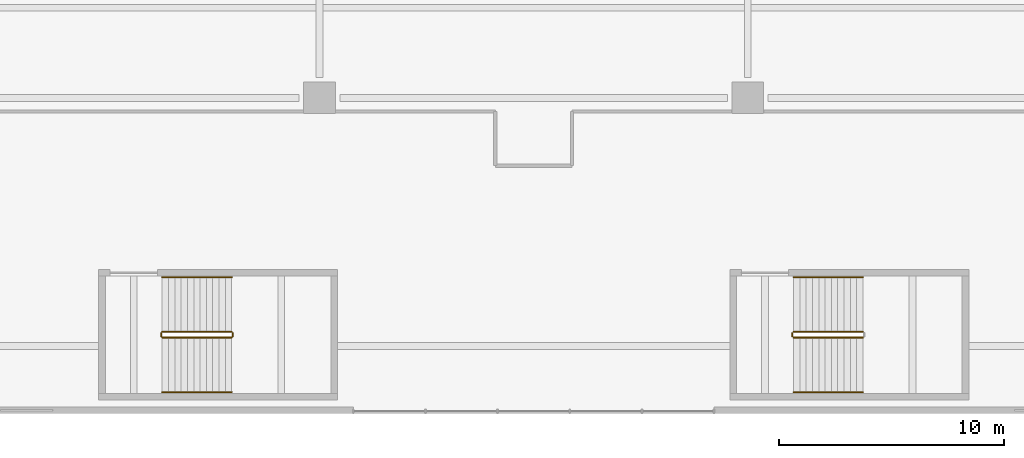
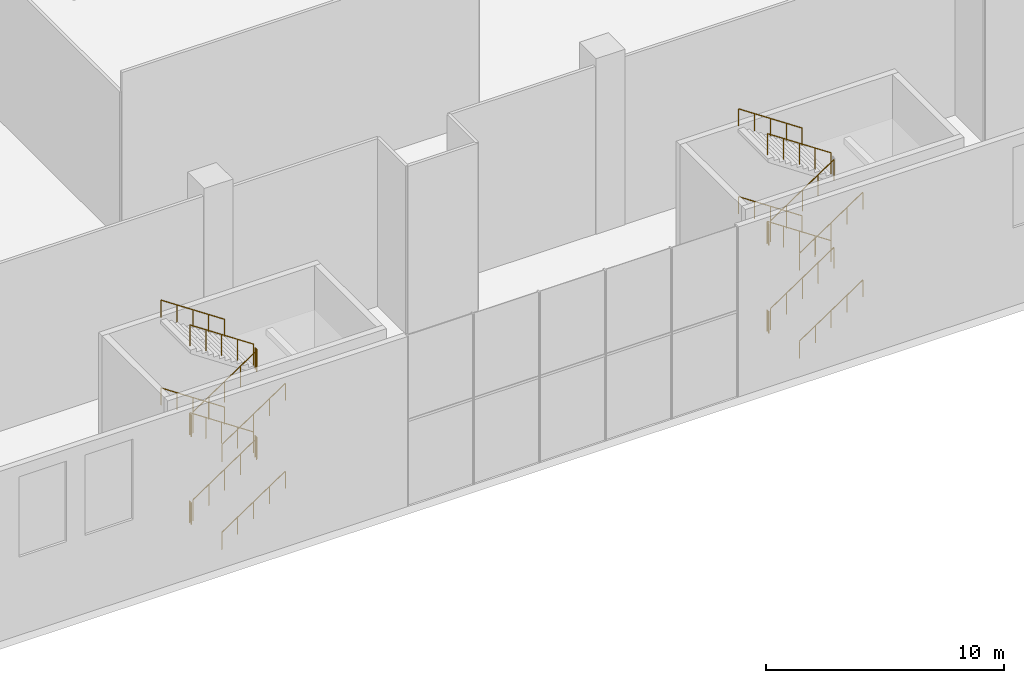
# One storey, part 20 of 27: 22 railings.
"""IFC4 building model written with IfcOpenShell, lengths in metres."""

import ifcopenshell
import ifcopenshell.guid

model = None  # the IFC model being written
_history = None  # IfcOwnerHistory: only IFC2X3 demands one
_inside = {}  # id of a spatial element -> (the spatial element, [elements in it])
_under = {}  # id of a project, library or spatial element -> (it, [spatial elements below it])
_declared = {}  # id of a project -> (the project, [libraries it declares])
_typed = {}  # id of a type object -> (the type object, [elements of that type])
_made_of = {}  # id of a material, layer set ... -> (it, [elements and type objects made of it])


def new_model(schema):
    """Start an empty IFC model of exactly this schema.

    Asked for "IFC4X3", IfcOpenShell would pick the latest addendum, in which some entities
    have other attributes; the version numbers below select the first issue.
    IFC2X3 requires an IfcOwnerHistory on every rooted entity: one is made here for all.
    """
    global model, _history
    if schema == "IFC4X3":
        model = ifcopenshell.file(schema_version=(4, 3, 0, 0))
    else:
        model = ifcopenshell.file(schema=schema)
    _inside.clear()
    _under.clear()
    _declared.clear()
    _typed.clear()
    _made_of.clear()
    _history = None
    if model.schema == "IFC2X3":
        org = make("IfcOrganization", Name="unknown")
        user = make(
            "IfcPersonAndOrganization",
            ThePerson=make("IfcPerson", FamilyName="unknown"),
            TheOrganization=org,
        )
        app = make(
            "IfcApplication",
            ApplicationDeveloper=org,
            Version="unknown",
            ApplicationFullName="unknown",
            ApplicationIdentifier="unknown",
        )
        _history = make(
            "IfcOwnerHistory",
            OwningUser=user,
            OwningApplication=app,
            ChangeAction="ADDED",
            CreationDate=0,
        )
    return model


def make(cls, **values):
    """One entity of the class cls with the attributes given. An attribute that is None is left unset."""
    return model.create_entity(
        cls, **{name: value for name, value in values.items() if value is not None}
    )


def rooted(cls, **values):
    """An entity with a GlobalId (a new one), such as an element, a storey or a relation."""
    return make(cls, GlobalId=ifcopenshell.guid.new(), OwnerHistory=_history, **values)


def si_unit(unit_type, name, prefix=None):
    """IfcSIUnit, for example si_unit("LENGTHUNIT", "METRE", prefix="MILLI")."""
    return make("IfcSIUnit", UnitType=unit_type, Prefix=prefix, Name=name)


def assignment(units):
    """IfcUnitAssignment: the units of a project."""
    return None if units is None else make("IfcUnitAssignment", Units=units)


def point(xyz):
    """IfcCartesianPoint."""
    return None if xyz is None else make("IfcCartesianPoint", Coordinates=xyz)


def direction(xyz):
    """IfcDirection."""
    return None if xyz is None else make("IfcDirection", DirectionRatios=xyz)


def frame(location, z_axis=None, x_axis=None):
    """IfcAxis2Placement3D, a coordinate frame: its origin and axes. An axis left out is left unset."""
    return make(
        "IfcAxis2Placement3D",
        Location=point(location),
        Axis=direction(z_axis),
        RefDirection=direction(x_axis),
    )


def frame_2d(location, x_axis=None):
    """IfcAxis2Placement2D, a coordinate frame in the plane: its origin and x axis."""
    return make(
        "IfcAxis2Placement2D", Location=point(location), RefDirection=direction(x_axis)
    )


def origin():
    """The frame at (0, 0, 0) with its axes left unset."""
    return frame((0.0, 0.0, 0.0))


def origin_2d():
    """The frame at (0, 0) in the plane with its x axis left unset."""
    return frame_2d((0.0, 0.0))


def place(relative_to, where):
    """IfcLocalPlacement: puts the frame where relative to a parent placement (None: the world)."""
    return make(
        "IfcLocalPlacement", PlacementRelTo=relative_to, RelativePlacement=where
    )


def context(
    kind, dimensions, precision=None, world=None, true_north=None, identifier=None
):
    """IfcGeometricRepresentationContext, for example the 3D "Model" context."""
    return make(
        "IfcGeometricRepresentationContext",
        ContextIdentifier=identifier,
        ContextType=kind,
        CoordinateSpaceDimension=dimensions,
        Precision=precision,
        WorldCoordinateSystem=world,
        TrueNorth=true_north,
    )


def subcontext(parent, identifier, kind, view, scale=None):
    """IfcGeometricRepresentationSubContext, for example "Body" below "Model"."""
    return make(
        "IfcGeometricRepresentationSubContext",
        ContextIdentifier=identifier,
        ContextType=kind,
        ParentContext=parent,
        TargetScale=scale,
        TargetView=view,
    )


def project(units=None, contexts=None):
    """IfcProject with its units and contexts."""
    return rooted(
        "IfcProject",
        Name="project",
        RepresentationContexts=contexts,
        UnitsInContext=assignment(units),
    )


def spatial(cls, under=None, at=None, **own):
    """A site, building, storey or space (cls), placed at a placement, below another one or the project."""
    s = rooted(cls, ObjectPlacement=at, **own)
    if under is not None:
        _under.setdefault(under.id(), (under, []))[1].append(s)
    return s


def profile(cls, at=None, kind="AREA", **sizes):
    """A parametric profile (cls). Its sizes go by their IFC names, for example OverallWidth=200.0."""
    return make(cls, ProfileType=kind, Position=at, **sizes)


def circle(**sizes):
    """IfcCircleProfileDef."""
    return profile("IfcCircleProfileDef", **sizes)


def extrude(swept, where, along, depth):
    """IfcExtrudedAreaSolid: the profile swept, set in the frame where, extruded along a direction by depth."""
    return make(
        "IfcExtrudedAreaSolid",
        SweptArea=swept,
        Position=where,
        ExtrudedDirection=direction(along),
        Depth=depth,
    )


def shape(context_of_items, identifier, shape_type, items):
    """IfcShapeRepresentation: the items that make up one representation, for example the "Body"."""
    return make(
        "IfcShapeRepresentation",
        ContextOfItems=context_of_items,
        RepresentationIdentifier=identifier,
        RepresentationType=shape_type,
        Items=items,
    )


def material(Name=None, Category=None):
    """IfcMaterial."""
    return make("IfcMaterial", Name=Name, Category=Category)


def made_of(thing, what):
    """Note that an element or type object is made of a material, layer set ...; save() writes the relation."""
    if what is not None:
        _made_of.setdefault(what.id(), (what, []))[1].append(thing)
    return thing


def type_object(cls, material=None, **own):
    """A type object (cls), such as IfcWallType, which elements share."""
    return made_of(rooted(cls, **own), material)


def element(
    cls,
    number,
    at=None,
    inside=None,
    cuts=None,
    type_object=None,
    material=None,
    context=None,
    identifier="Body",
    shape_type=None,
    held_by="IfcProductDefinitionShape",
    body=None,
    shapes=None,
    **own,
):
    """One element of the class cls, such as IfcWall. Its Tag is "e" and its number.

    at: its placement. inside: the storey or other place that contains it. cuts: it is an
    opening in that element (IfcRelVoidsElement). A single representation is given by context,
    identifier, shape_type and body (its items); several are given by shapes. held_by: the class
    of the entity that holds the representations. save() writes the other relations.
    """
    e = rooted(cls, Tag="e%d" % number, ObjectPlacement=at, **own)
    if body is not None:
        shapes = [shape(context, identifier, shape_type, body)]
    if shapes is not None:
        e.Representation = make(held_by, Representations=shapes)
    if inside is not None:
        _inside.setdefault(inside.id(), (inside, []))[1].append(e)
    if cuts is not None:
        rooted(
            "IfcRelVoidsElement", RelatingBuildingElement=cuts, RelatedOpeningElement=e
        )
    if type_object is not None:
        _typed.setdefault(type_object.id(), (type_object, []))[1].append(e)
    return made_of(e, material)


def aggregate(whole, parts):
    """IfcRelAggregates: a whole, such as a stair, and the parts it consists of."""
    return rooted("IfcRelAggregates", RelatingObject=whole, RelatedObjects=parts)


def save(model, path):
    """Write the relations noted so far, then the file.

    IfcRelAggregates (storeys below a building ...), IfcRelContainedInSpatialStructure (elements
    in a storey), IfcRelDefinesByType, IfcRelAssociatesMaterial and IfcRelDeclares: one each for
    every whole, place, type object, material and project.
    """
    for whole, parts in _under.values():
        aggregate(whole, parts)
    for where, things in _inside.values():
        rooted(
            "IfcRelContainedInSpatialStructure",
            RelatedElements=things,
            RelatingStructure=where,
        )
    for kind, things in _typed.values():
        rooted("IfcRelDefinesByType", RelatedObjects=things, RelatingType=kind)
    for what, things in _made_of.values():
        rooted("IfcRelAssociatesMaterial", RelatedObjects=things, RelatingMaterial=what)
    for by, libraries in _declared.values():
        rooted("IfcRelDeclares", RelatingContext=by, RelatedDefinitions=libraries)
    model.write(path)


model = new_model("IFC4")

# Units and contexts
model_context = context("Model", 3, precision=1e-05, world=origin(), true_north=direction((0.0, 1.0)))
body_context = subcontext(model_context, "Body", "Model", "MODEL_VIEW")
ifc_project = project(units=[si_unit("LENGTHUNIT", "METRE"), si_unit("AREAUNIT", "SQUARE_METRE"), si_unit("VOLUMEUNIT", "CUBIC_METRE"), si_unit("PLANEANGLEUNIT", "RADIAN"), si_unit("MASSUNIT", "GRAM", prefix="KILO")], contexts=[model_context])

# Site, building, storey
site_placement = place(None, origin())
site = spatial("IfcSite", under=ifc_project, at=site_placement, CompositionType="ELEMENT")
building_placement = place(site_placement, origin())
building = spatial("IfcBuilding", under=site, at=building_placement, Name="Tel Ilan Convention Tower", CompositionType="ELEMENT")
storey_placement = place(building_placement, frame((0.0, 0.0, 9.0)))
storey = spatial("IfcBuildingStorey", under=building, at=storey_placement, Name="L01", CompositionType="ELEMENT", Elevation=9.0)

# Railings
ifc_material_1 = material(Name="Stainless Steel Grade 316", Category="steel")
railing_type_1 = type_object("IfcRailingType", Name="Stainless Steel Stair Guard 1100 mm", PredefinedType="GUARDRAIL", material=ifc_material_1)
railing_1_placement = place(storey_placement, frame((-16.47509765625, -78.625, 0.1875)))
element("IfcRailing", 1, at=railing_1_placement, inside=storey, type_object=railing_type_1, Name="L01 P2 stair guard 1", PredefinedType="GUARDRAIL", context=body_context, shape_type="SweptSolid", body=[
    extrude(circle(Radius=0.02392578125, at=origin_2d()), frame((0.0, 0.0, 1.076171875), z_axis=(0.830913701846, 0.0, 0.55640131208), x_axis=(0.0, 1.0, 0.0)), (0.0, 0.0, 1.0), 3.706787109375),
    extrude(circle(Radius=0.02099609375, at=origin_2d()), origin(), (0.0, 0.0, 1.0), 1.052001953125),
    extrude(circle(Radius=0.02099609375, at=origin_2d()), frame((0.77001953125, 0.0, 0.515625)), (0.0, 0.0, 1.0), 1.052001953125),
    extrude(circle(Radius=0.02099609375, at=origin_2d()), frame((1.5400390625, 0.0, 1.03125)), (0.0, 0.0, 1.0), 1.052001953125),
    extrude(circle(Radius=0.02099609375, at=origin_2d()), frame((2.31005859375, 0.0, 1.546875)), (0.0, 0.0, 1.0), 1.052001953125),
    extrude(circle(Radius=0.02099609375, at=origin_2d()), frame((3.080078125, 0.0, 2.0625)), (0.0, 0.0, 1.0), 1.052001953125),
])
railing_2_placement = place(storey_placement, frame((-13.344970703125, -78.574951171875, 2.25)))
element("IfcRailing", 2, at=railing_2_placement, inside=storey, type_object=railing_type_1, Name="L01 P2 stair guard 2", PredefinedType="GUARDRAIL", context=body_context, shape_type="SweptSolid", body=[
    extrude(circle(Radius=0.02392578125, at=origin_2d()), frame((0.0, 0.0, 1.076171875), z_axis=(0.0, 1.0, 0.0), x_axis=(-1.0, 0.0, 0.0)), (0.0, 0.0, 1.0), 0.14990234375),
    extrude(circle(Radius=0.02099609375, at=origin_2d()), origin(), (0.0, 0.0, 1.0), 1.052001953125),
    extrude(circle(Radius=0.02099609375, at=origin_2d()), frame((0.0, 0.14990234375, 0.0)), (0.0, 0.0, 1.0), 1.052001953125),
])
railing_3_placement = place(storey_placement, frame((-13.39501953125, -78.375, 2.4375)))
element("IfcRailing", 3, at=railing_3_placement, inside=storey, type_object=railing_type_1, Name="L01 P2 stair guard 3", PredefinedType="GUARDRAIL", context=body_context, shape_type="SweptSolid", body=[
    extrude(circle(Radius=0.02392578125, at=origin_2d()), frame((0.0, 0.0, 1.076171875), z_axis=(-0.830913701846, 0.0, 0.55640131208), x_axis=(0.0, -1.0, 0.0)), (0.0, 0.0, 1.0), 3.706787109375),
    extrude(circle(Radius=0.02099609375, at=origin_2d()), origin(), (0.0, 0.0, 1.0), 1.052001953125),
    extrude(circle(Radius=0.02099609375, at=origin_2d()), frame((-0.77001953125, 0.0, 0.515625)), (0.0, 0.0, 1.0), 1.052001953125),
    extrude(circle(Radius=0.02099609375, at=origin_2d()), frame((-1.5400390625, 0.0, 1.03125)), (0.0, 0.0, 1.0), 1.052001953125),
    extrude(circle(Radius=0.02099609375, at=origin_2d()), frame((-2.31005859375, 0.0, 1.546875)), (0.0, 0.0, 1.0), 1.052001953125),
    extrude(circle(Radius=0.02099609375, at=origin_2d()), frame((-3.080078125, 0.0, 2.0625)), (0.0, 0.0, 1.0), 1.052001953125),
])
railing_4_placement = place(storey_placement, frame((-16.52490234375, -78.574951171875, 4.5)))
element("IfcRailing", 4, at=railing_4_placement, inside=storey, type_object=railing_type_1, Name="L01 P2 stair guard 4", PredefinedType="GUARDRAIL", context=body_context, shape_type="SweptSolid", body=[
    extrude(circle(Radius=0.02392578125, at=origin_2d()), frame((0.0, 0.0, 1.076171875), z_axis=(0.0, 1.0, 0.0), x_axis=(-1.0, 0.0, 0.0)), (0.0, 0.0, 1.0), 0.14990234375),
    extrude(circle(Radius=0.02099609375, at=origin_2d()), origin(), (0.0, 0.0, 1.0), 1.052001953125),
    extrude(circle(Radius=0.02099609375, at=origin_2d()), frame((0.0, 0.14990234375, 0.0)), (0.0, 0.0, 1.0), 1.052001953125),
])
railing_5_placement = place(storey_placement, frame((-16.47509765625, -78.625, 4.6875)))
element("IfcRailing", 5, at=railing_5_placement, inside=storey, type_object=railing_type_1, Name="L01 P2 stair guard 5", PredefinedType="GUARDRAIL", context=body_context, shape_type="SweptSolid", body=[
    extrude(circle(Radius=0.02392578125, at=origin_2d()), frame((0.0, 0.0, 1.076171875), z_axis=(0.830913701846, 0.0, 0.55640131208), x_axis=(0.0, 1.0, 0.0)), (0.0, 0.0, 1.0), 3.706787109375),
    extrude(circle(Radius=0.02099609375, at=origin_2d()), origin(), (0.0, 0.0, 1.0), 1.052001953125),
    extrude(circle(Radius=0.02099609375, at=origin_2d()), frame((0.77001953125, 0.0, 0.515625)), (0.0, 0.0, 1.0), 1.052001953125),
    extrude(circle(Radius=0.02099609375, at=origin_2d()), frame((1.5400390625, 0.0, 1.03125)), (0.0, 0.0, 1.0), 1.052001953125),
    extrude(circle(Radius=0.02099609375, at=origin_2d()), frame((2.31005859375, 0.0, 1.546875)), (0.0, 0.0, 1.0), 1.052001953125),
    extrude(circle(Radius=0.02099609375, at=origin_2d()), frame((3.080078125, 0.0, 2.0625)), (0.0, 0.0, 1.0), 1.052001953125),
])
railing_6_placement = place(storey_placement, frame((-13.344970703125, -78.574951171875, 6.75)))
element("IfcRailing", 6, at=railing_6_placement, inside=storey, type_object=railing_type_1, Name="L01 P2 stair guard 6", PredefinedType="GUARDRAIL", context=body_context, shape_type="SweptSolid", body=[
    extrude(circle(Radius=0.02392578125, at=origin_2d()), frame((0.0, 0.0, 1.076171875), z_axis=(0.0, 1.0, 0.0), x_axis=(-1.0, 0.0, 0.0)), (0.0, 0.0, 1.0), 0.14990234375),
    extrude(circle(Radius=0.02099609375, at=origin_2d()), origin(), (0.0, 0.0, 1.0), 1.052001953125),
    extrude(circle(Radius=0.02099609375, at=origin_2d()), frame((0.0, 0.14990234375, 0.0)), (0.0, 0.0, 1.0), 1.052001953125),
])
railing_7_placement = place(storey_placement, frame((-13.39501953125, -78.375, 6.9375)))
element("IfcRailing", 7, at=railing_7_placement, inside=storey, type_object=railing_type_1, Name="L01 P2 stair guard 7", PredefinedType="GUARDRAIL", context=body_context, shape_type="SweptSolid", body=[
    extrude(circle(Radius=0.02392578125, at=origin_2d()), frame((0.0, 0.0, 1.076171875), z_axis=(-0.830913701846, 0.0, 0.55640131208), x_axis=(0.0, -1.0, 0.0)), (0.0, 0.0, 1.0), 3.706787109375),
    extrude(circle(Radius=0.02099609375, at=origin_2d()), origin(), (0.0, 0.0, 1.0), 1.052001953125),
    extrude(circle(Radius=0.02099609375, at=origin_2d()), frame((-0.77001953125, 0.0, 0.515625)), (0.0, 0.0, 1.0), 1.052001953125),
    extrude(circle(Radius=0.02099609375, at=origin_2d()), frame((-1.5400390625, 0.0, 1.03125)), (0.0, 0.0, 1.0), 1.052001953125),
    extrude(circle(Radius=0.02099609375, at=origin_2d()), frame((-2.31005859375, 0.0, 1.546875)), (0.0, 0.0, 1.0), 1.052001953125),
    extrude(circle(Radius=0.02099609375, at=origin_2d()), frame((-3.080078125, 0.0, 2.0625)), (0.0, 0.0, 1.0), 1.052001953125),
])
railing_8_placement = place(storey_placement, frame((-16.52490234375, -78.574951171875, 0.0)))
element("IfcRailing", 8, at=railing_8_placement, inside=storey, type_object=railing_type_1, Name="L01 P2 stair guard 8", PredefinedType="GUARDRAIL", context=body_context, shape_type="SweptSolid", body=[
    extrude(circle(Radius=0.02392578125, at=origin_2d()), frame((0.0, 0.0, 1.076171875), z_axis=(0.0, 1.0, 0.0), x_axis=(-1.0, 0.0, 0.0)), (0.0, 0.0, 1.0), 0.14990234375),
    extrude(circle(Radius=0.02099609375, at=origin_2d()), origin(), (0.0, 0.0, 1.0), 1.052001953125),
    extrude(circle(Radius=0.02099609375, at=origin_2d()), frame((0.0, 0.14990234375, 0.0)), (0.0, 0.0, 1.0), 1.052001953125),
])
railing_9_placement = place(storey_placement, frame((11.52490234375, -78.625, 0.1875)))
element("IfcRailing", 9, at=railing_9_placement, inside=storey, type_object=railing_type_1, Name="L01 P3 stair guard 1", PredefinedType="GUARDRAIL", context=body_context, shape_type="SweptSolid", body=[
    extrude(circle(Radius=0.02392578125, at=origin_2d()), frame((0.0, 0.0, 1.076171875), z_axis=(0.830913701846, 0.0, 0.55640131208), x_axis=(0.0, 1.0, 0.0)), (0.0, 0.0, 1.0), 3.706787109375),
    extrude(circle(Radius=0.02099609375, at=origin_2d()), origin(), (0.0, 0.0, 1.0), 1.052001953125),
    extrude(circle(Radius=0.02099609375, at=origin_2d()), frame((0.77001953125, 0.0, 0.515625)), (0.0, 0.0, 1.0), 1.052001953125),
    extrude(circle(Radius=0.02099609375, at=origin_2d()), frame((1.5400390625, 0.0, 1.03125)), (0.0, 0.0, 1.0), 1.052001953125),
    extrude(circle(Radius=0.02099609375, at=origin_2d()), frame((2.31005859375, 0.0, 1.546875)), (0.0, 0.0, 1.0), 1.052001953125),
    extrude(circle(Radius=0.02099609375, at=origin_2d()), frame((3.080078125, 0.0, 2.0625)), (0.0, 0.0, 1.0), 1.052001953125),
])
railing_10_placement = place(storey_placement, frame((14.60498046875, -78.375, 2.4375)))
element("IfcRailing", 10, at=railing_10_placement, inside=storey, type_object=railing_type_1, Name="L01 P3 stair guard 3", PredefinedType="GUARDRAIL", context=body_context, shape_type="SweptSolid", body=[
    extrude(circle(Radius=0.02392578125, at=origin_2d()), frame((0.0, 0.0, 1.076171875), z_axis=(-0.830913701846, 0.0, 0.55640131208), x_axis=(0.0, -1.0, 0.0)), (0.0, 0.0, 1.0), 3.706787109375),
    extrude(circle(Radius=0.02099609375, at=origin_2d()), origin(), (0.0, 0.0, 1.0), 1.052001953125),
    extrude(circle(Radius=0.02099609375, at=origin_2d()), frame((-0.77001953125, 0.0, 0.515625)), (0.0, 0.0, 1.0), 1.052001953125),
    extrude(circle(Radius=0.02099609375, at=origin_2d()), frame((-1.5400390625, 0.0, 1.03125)), (0.0, 0.0, 1.0), 1.052001953125),
    extrude(circle(Radius=0.02099609375, at=origin_2d()), frame((-2.31005859375, 0.0, 1.546875)), (0.0, 0.0, 1.0), 1.052001953125),
    extrude(circle(Radius=0.02099609375, at=origin_2d()), frame((-3.080078125, 0.0, 2.0625)), (0.0, 0.0, 1.0), 1.052001953125),
])
railing_11_placement = place(storey_placement, frame((11.47509765625, -78.574951171875, 4.5)))
element("IfcRailing", 11, at=railing_11_placement, inside=storey, type_object=railing_type_1, Name="L01 P3 stair guard 4", PredefinedType="GUARDRAIL", context=body_context, shape_type="SweptSolid", body=[
    extrude(circle(Radius=0.02392578125, at=origin_2d()), frame((0.0, 0.0, 1.076171875), z_axis=(0.0, 1.0, 0.0), x_axis=(-1.0, 0.0, 0.0)), (0.0, 0.0, 1.0), 0.14990234375),
    extrude(circle(Radius=0.02099609375, at=origin_2d()), origin(), (0.0, 0.0, 1.0), 1.052001953125),
    extrude(circle(Radius=0.02099609375, at=origin_2d()), frame((0.0, 0.14990234375, 0.0)), (0.0, 0.0, 1.0), 1.052001953125),
])
railing_12_placement = place(storey_placement, frame((11.52490234375, -78.625, 4.6875)))
element("IfcRailing", 12, at=railing_12_placement, inside=storey, type_object=railing_type_1, Name="L01 P3 stair guard 5", PredefinedType="GUARDRAIL", context=body_context, shape_type="SweptSolid", body=[
    extrude(circle(Radius=0.02392578125, at=origin_2d()), frame((0.0, 0.0, 1.076171875), z_axis=(0.830913701846, 0.0, 0.55640131208), x_axis=(0.0, 1.0, 0.0)), (0.0, 0.0, 1.0), 3.706787109375),
    extrude(circle(Radius=0.02099609375, at=origin_2d()), origin(), (0.0, 0.0, 1.0), 1.052001953125),
    extrude(circle(Radius=0.02099609375, at=origin_2d()), frame((0.77001953125, 0.0, 0.515625)), (0.0, 0.0, 1.0), 1.052001953125),
    extrude(circle(Radius=0.02099609375, at=origin_2d()), frame((1.5400390625, 0.0, 1.03125)), (0.0, 0.0, 1.0), 1.052001953125),
    extrude(circle(Radius=0.02099609375, at=origin_2d()), frame((2.31005859375, 0.0, 1.546875)), (0.0, 0.0, 1.0), 1.052001953125),
    extrude(circle(Radius=0.02099609375, at=origin_2d()), frame((3.080078125, 0.0, 2.0625)), (0.0, 0.0, 1.0), 1.052001953125),
])
railing_13_placement = place(storey_placement, frame((14.60498046875, -78.375, 6.9375)))
element("IfcRailing", 13, at=railing_13_placement, inside=storey, type_object=railing_type_1, Name="L01 P3 stair guard 7", PredefinedType="GUARDRAIL", context=body_context, shape_type="SweptSolid", body=[
    extrude(circle(Radius=0.02392578125, at=origin_2d()), frame((0.0, 0.0, 1.076171875), z_axis=(-0.830913701846, 0.0, 0.55640131208), x_axis=(0.0, -1.0, 0.0)), (0.0, 0.0, 1.0), 3.706787109375),
    extrude(circle(Radius=0.02099609375, at=origin_2d()), origin(), (0.0, 0.0, 1.0), 1.052001953125),
    extrude(circle(Radius=0.02099609375, at=origin_2d()), frame((-0.77001953125, 0.0, 0.515625)), (0.0, 0.0, 1.0), 1.052001953125),
    extrude(circle(Radius=0.02099609375, at=origin_2d()), frame((-1.5400390625, 0.0, 1.03125)), (0.0, 0.0, 1.0), 1.052001953125),
    extrude(circle(Radius=0.02099609375, at=origin_2d()), frame((-2.31005859375, 0.0, 1.546875)), (0.0, 0.0, 1.0), 1.052001953125),
    extrude(circle(Radius=0.02099609375, at=origin_2d()), frame((-3.080078125, 0.0, 2.0625)), (0.0, 0.0, 1.0), 1.052001953125),
])
railing_14_placement = place(storey_placement, frame((11.47509765625, -78.574951171875, 0.0)))
element("IfcRailing", 14, at=railing_14_placement, inside=storey, type_object=railing_type_1, Name="L01 P3 stair guard 8", PredefinedType="GUARDRAIL", context=body_context, shape_type="SweptSolid", body=[
    extrude(circle(Radius=0.02392578125, at=origin_2d()), frame((0.0, 0.0, 1.076171875), z_axis=(0.0, 1.0, 0.0), x_axis=(-1.0, 0.0, 0.0)), (0.0, 0.0, 1.0), 0.14990234375),
    extrude(circle(Radius=0.02099609375, at=origin_2d()), origin(), (0.0, 0.0, 1.0), 1.052001953125),
    extrude(circle(Radius=0.02099609375, at=origin_2d()), frame((0.0, 0.14990234375, 0.0)), (0.0, 0.0, 1.0), 1.052001953125),
])
ifc_material_2 = material(Name="Stainless Steel Grade 316", Category="steel")
railing_type_2 = type_object("IfcRailingType", Name="Stainless Steel Stair Handrail 900 mm", PredefinedType="HANDRAIL", material=ifc_material_2)
railing_15_placement = place(storey_placement, frame((-16.47509765625, -81.050048828125, 0.1875)))
element("IfcRailing", 15, at=railing_15_placement, inside=storey, type_object=railing_type_2, Name="L01 P2 stair handrail 1", PredefinedType="HANDRAIL", context=body_context, shape_type="SweptSolid", body=[
    extrude(circle(Radius=0.02392578125, at=origin_2d()), frame((0.0, 0.0, 0.8759765625), z_axis=(0.830913701846, 0.0, 0.55640131208), x_axis=(0.0, 1.0, 0.0)), (0.0, 0.0, 1.0), 3.706787109375),
    extrude(circle(Radius=0.02099609375, at=origin_2d()), origin(), (0.0, 0.0, 1.0), 0.851806640625),
    extrude(circle(Radius=0.02099609375, at=origin_2d()), frame((0.77001953125, 0.0, 0.515625)), (0.0, 0.0, 1.0), 0.851806640625),
    extrude(circle(Radius=0.02099609375, at=origin_2d()), frame((1.5400390625, 0.0, 1.03125)), (0.0, 0.0, 1.0), 0.851806640625),
    extrude(circle(Radius=0.02099609375, at=origin_2d()), frame((2.31005859375, 0.0, 1.546875)), (0.0, 0.0, 1.0), 0.851806640625),
    extrude(circle(Radius=0.02099609375, at=origin_2d()), frame((3.080078125, 0.0, 2.0625)), (0.0, 0.0, 1.0), 0.851806640625),
])
railing_16_placement = place(storey_placement, frame((-13.39501953125, -75.949951171875, 2.4375)))
element("IfcRailing", 16, at=railing_16_placement, inside=storey, type_object=railing_type_2, Name="L01 P2 stair handrail 2", PredefinedType="HANDRAIL", context=body_context, shape_type="SweptSolid", body=[
    extrude(circle(Radius=0.02392578125, at=origin_2d()), frame((0.0, 0.0, 0.8759765625), z_axis=(-0.830913701846, 0.0, 0.55640131208), x_axis=(0.0, -1.0, 0.0)), (0.0, 0.0, 1.0), 3.706787109375),
    extrude(circle(Radius=0.02099609375, at=origin_2d()), origin(), (0.0, 0.0, 1.0), 0.851806640625),
    extrude(circle(Radius=0.02099609375, at=origin_2d()), frame((-0.77001953125, 0.0, 0.515625)), (0.0, 0.0, 1.0), 0.851806640625),
    extrude(circle(Radius=0.02099609375, at=origin_2d()), frame((-1.5400390625, 0.0, 1.03125)), (0.0, 0.0, 1.0), 0.851806640625),
    extrude(circle(Radius=0.02099609375, at=origin_2d()), frame((-2.31005859375, 0.0, 1.546875)), (0.0, 0.0, 1.0), 0.851806640625),
    extrude(circle(Radius=0.02099609375, at=origin_2d()), frame((-3.080078125, 0.0, 2.0625)), (0.0, 0.0, 1.0), 0.851806640625),
])
railing_17_placement = place(storey_placement, frame((-16.47509765625, -81.050048828125, 4.6875)))
element("IfcRailing", 17, at=railing_17_placement, inside=storey, type_object=railing_type_2, Name="L01 P2 stair handrail 3", PredefinedType="HANDRAIL", context=body_context, shape_type="SweptSolid", body=[
    extrude(circle(Radius=0.02392578125, at=origin_2d()), frame((0.0, 0.0, 0.8759765625), z_axis=(0.830913701846, 0.0, 0.55640131208), x_axis=(0.0, 1.0, 0.0)), (0.0, 0.0, 1.0), 3.706787109375),
    extrude(circle(Radius=0.02099609375, at=origin_2d()), origin(), (0.0, 0.0, 1.0), 0.851806640625),
    extrude(circle(Radius=0.02099609375, at=origin_2d()), frame((0.77001953125, 0.0, 0.515625)), (0.0, 0.0, 1.0), 0.851806640625),
    extrude(circle(Radius=0.02099609375, at=origin_2d()), frame((1.5400390625, 0.0, 1.03125)), (0.0, 0.0, 1.0), 0.851806640625),
    extrude(circle(Radius=0.02099609375, at=origin_2d()), frame((2.31005859375, 0.0, 1.546875)), (0.0, 0.0, 1.0), 0.851806640625),
    extrude(circle(Radius=0.02099609375, at=origin_2d()), frame((3.080078125, 0.0, 2.0625)), (0.0, 0.0, 1.0), 0.851806640625),
])
railing_18_placement = place(storey_placement, frame((-13.39501953125, -75.949951171875, 6.9375)))
element("IfcRailing", 18, at=railing_18_placement, inside=storey, type_object=railing_type_2, Name="L01 P2 stair handrail 4", PredefinedType="HANDRAIL", context=body_context, shape_type="SweptSolid", body=[
    extrude(circle(Radius=0.02392578125, at=origin_2d()), frame((0.0, 0.0, 0.8759765625), z_axis=(-0.830913701846, 0.0, 0.55640131208), x_axis=(0.0, -1.0, 0.0)), (0.0, 0.0, 1.0), 3.706787109375),
    extrude(circle(Radius=0.02099609375, at=origin_2d()), origin(), (0.0, 0.0, 1.0), 0.851806640625),
    extrude(circle(Radius=0.02099609375, at=origin_2d()), frame((-0.77001953125, 0.0, 0.515625)), (0.0, 0.0, 1.0), 0.851806640625),
    extrude(circle(Radius=0.02099609375, at=origin_2d()), frame((-1.5400390625, 0.0, 1.03125)), (0.0, 0.0, 1.0), 0.851806640625),
    extrude(circle(Radius=0.02099609375, at=origin_2d()), frame((-2.31005859375, 0.0, 1.546875)), (0.0, 0.0, 1.0), 0.851806640625),
    extrude(circle(Radius=0.02099609375, at=origin_2d()), frame((-3.080078125, 0.0, 2.0625)), (0.0, 0.0, 1.0), 0.851806640625),
])
railing_19_placement = place(storey_placement, frame((11.52490234375, -81.050048828125, 0.1875)))
element("IfcRailing", 19, at=railing_19_placement, inside=storey, type_object=railing_type_2, Name="L01 P3 stair handrail 1", PredefinedType="HANDRAIL", context=body_context, shape_type="SweptSolid", body=[
    extrude(circle(Radius=0.02392578125, at=origin_2d()), frame((0.0, 0.0, 0.8759765625), z_axis=(0.830913701846, 0.0, 0.55640131208), x_axis=(0.0, 1.0, 0.0)), (0.0, 0.0, 1.0), 3.706787109375),
    extrude(circle(Radius=0.02099609375, at=origin_2d()), origin(), (0.0, 0.0, 1.0), 0.851806640625),
    extrude(circle(Radius=0.02099609375, at=origin_2d()), frame((0.77001953125, 0.0, 0.515625)), (0.0, 0.0, 1.0), 0.851806640625),
    extrude(circle(Radius=0.02099609375, at=origin_2d()), frame((1.5400390625, 0.0, 1.03125)), (0.0, 0.0, 1.0), 0.851806640625),
    extrude(circle(Radius=0.02099609375, at=origin_2d()), frame((2.31005859375, 0.0, 1.546875)), (0.0, 0.0, 1.0), 0.851806640625),
    extrude(circle(Radius=0.02099609375, at=origin_2d()), frame((3.080078125, 0.0, 2.0625)), (0.0, 0.0, 1.0), 0.851806640625),
])
railing_20_placement = place(storey_placement, frame((14.60498046875, -75.949951171875, 2.4375)))
element("IfcRailing", 20, at=railing_20_placement, inside=storey, type_object=railing_type_2, Name="L01 P3 stair handrail 2", PredefinedType="HANDRAIL", context=body_context, shape_type="SweptSolid", body=[
    extrude(circle(Radius=0.02392578125, at=origin_2d()), frame((0.0, 0.0, 0.8759765625), z_axis=(-0.830913701846, 0.0, 0.55640131208), x_axis=(0.0, -1.0, 0.0)), (0.0, 0.0, 1.0), 3.706787109375),
    extrude(circle(Radius=0.02099609375, at=origin_2d()), origin(), (0.0, 0.0, 1.0), 0.851806640625),
    extrude(circle(Radius=0.02099609375, at=origin_2d()), frame((-0.77001953125, 0.0, 0.515625)), (0.0, 0.0, 1.0), 0.851806640625),
    extrude(circle(Radius=0.02099609375, at=origin_2d()), frame((-1.5400390625, 0.0, 1.03125)), (0.0, 0.0, 1.0), 0.851806640625),
    extrude(circle(Radius=0.02099609375, at=origin_2d()), frame((-2.31005859375, 0.0, 1.546875)), (0.0, 0.0, 1.0), 0.851806640625),
    extrude(circle(Radius=0.02099609375, at=origin_2d()), frame((-3.080078125, 0.0, 2.0625)), (0.0, 0.0, 1.0), 0.851806640625),
])
railing_21_placement = place(storey_placement, frame((11.52490234375, -81.050048828125, 4.6875)))
element("IfcRailing", 21, at=railing_21_placement, inside=storey, type_object=railing_type_2, Name="L01 P3 stair handrail 3", PredefinedType="HANDRAIL", context=body_context, shape_type="SweptSolid", body=[
    extrude(circle(Radius=0.02392578125, at=origin_2d()), frame((0.0, 0.0, 0.8759765625), z_axis=(0.830913701846, 0.0, 0.55640131208), x_axis=(0.0, 1.0, 0.0)), (0.0, 0.0, 1.0), 3.706787109375),
    extrude(circle(Radius=0.02099609375, at=origin_2d()), origin(), (0.0, 0.0, 1.0), 0.851806640625),
    extrude(circle(Radius=0.02099609375, at=origin_2d()), frame((0.77001953125, 0.0, 0.515625)), (0.0, 0.0, 1.0), 0.851806640625),
    extrude(circle(Radius=0.02099609375, at=origin_2d()), frame((1.5400390625, 0.0, 1.03125)), (0.0, 0.0, 1.0), 0.851806640625),
    extrude(circle(Radius=0.02099609375, at=origin_2d()), frame((2.31005859375, 0.0, 1.546875)), (0.0, 0.0, 1.0), 0.851806640625),
    extrude(circle(Radius=0.02099609375, at=origin_2d()), frame((3.080078125, 0.0, 2.0625)), (0.0, 0.0, 1.0), 0.851806640625),
])
railing_22_placement = place(storey_placement, frame((14.60498046875, -75.949951171875, 6.9375)))
element("IfcRailing", 22, at=railing_22_placement, inside=storey, type_object=railing_type_2, Name="L01 P3 stair handrail 4", PredefinedType="HANDRAIL", context=body_context, shape_type="SweptSolid", body=[
    extrude(circle(Radius=0.02392578125, at=origin_2d()), frame((0.0, 0.0, 0.8759765625), z_axis=(-0.830913701846, 0.0, 0.55640131208), x_axis=(0.0, -1.0, 0.0)), (0.0, 0.0, 1.0), 3.706787109375),
    extrude(circle(Radius=0.02099609375, at=origin_2d()), origin(), (0.0, 0.0, 1.0), 0.851806640625),
    extrude(circle(Radius=0.02099609375, at=origin_2d()), frame((-0.77001953125, 0.0, 0.515625)), (0.0, 0.0, 1.0), 0.851806640625),
    extrude(circle(Radius=0.02099609375, at=origin_2d()), frame((-1.5400390625, 0.0, 1.03125)), (0.0, 0.0, 1.0), 0.851806640625),
    extrude(circle(Radius=0.02099609375, at=origin_2d()), frame((-2.31005859375, 0.0, 1.546875)), (0.0, 0.0, 1.0), 0.851806640625),
    extrude(circle(Radius=0.02099609375, at=origin_2d()), frame((-3.080078125, 0.0, 2.0625)), (0.0, 0.0, 1.0), 0.851806640625),
])

save(model, "model.ifc")
